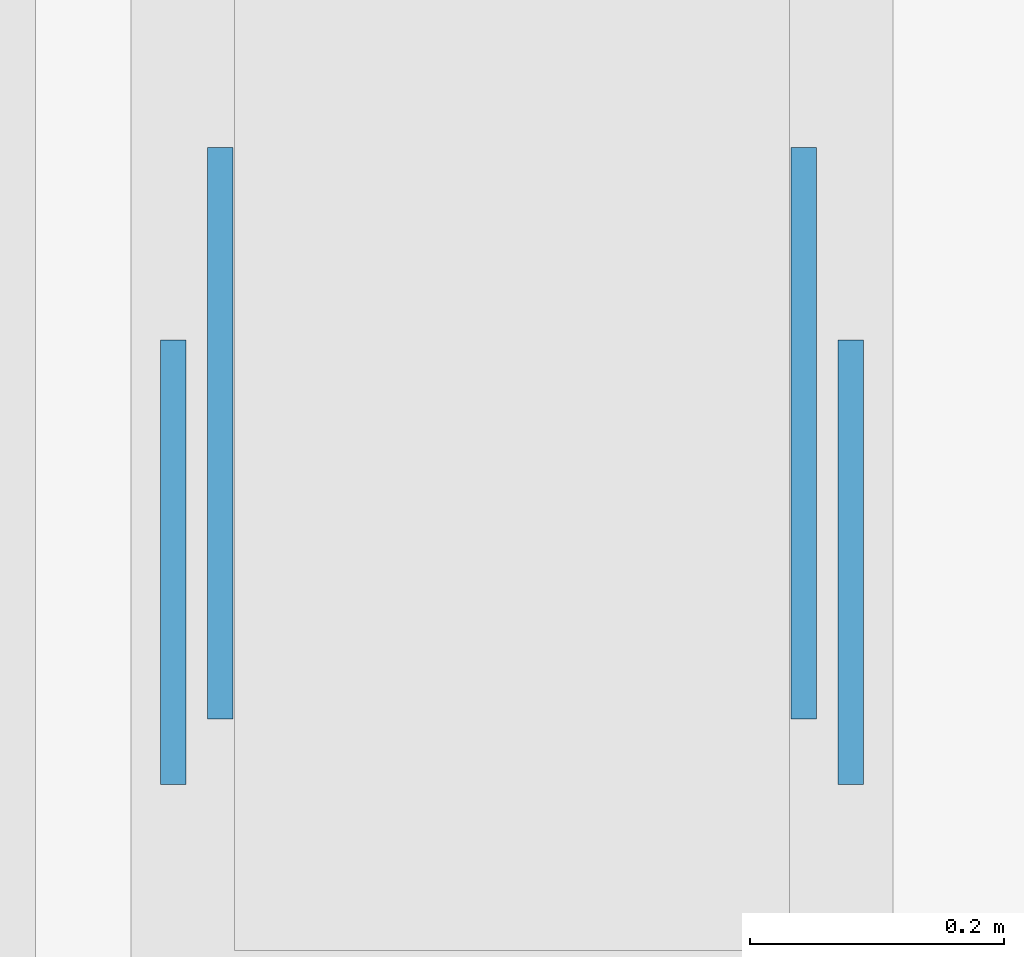
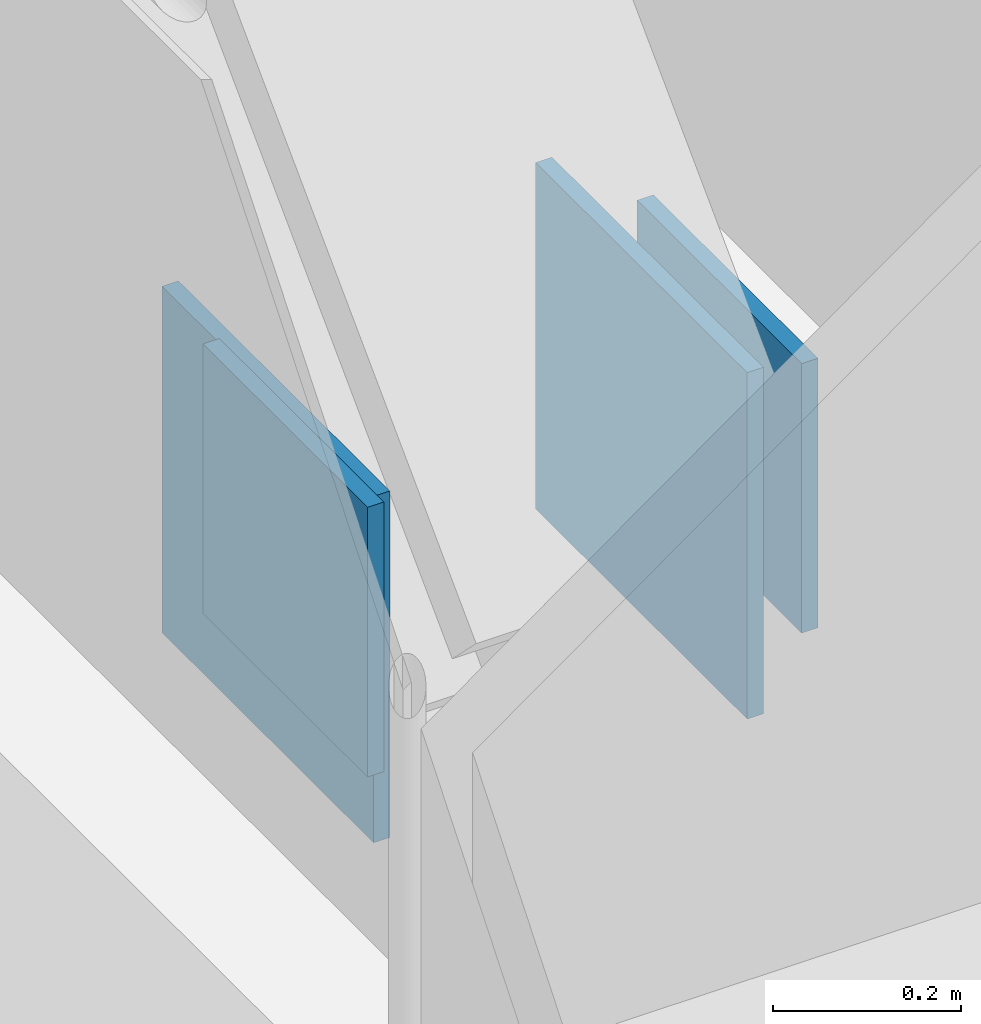
# One storey, part 17 of 25: 4 discrete accessories.
"""IFC4 building model written with IfcOpenShell, lengths in metres."""

from ifc_helpers import new_model, si_unit, direction, frame, origin, origin_2d, place, context, subcontext, project, spatial, rectangle, extrude, element, save


model = new_model("IFC4")

# Units and contexts
model_context = context("Model", 3, precision=1e-05, world=origin(), true_north=direction((0.0, 1.0)))
body_context = subcontext(model_context, "Body", "Model", "MODEL_VIEW")
ifc_project = project(units=[si_unit("LENGTHUNIT", "METRE"), si_unit("AREAUNIT", "SQUARE_METRE"), si_unit("VOLUMEUNIT", "CUBIC_METRE"), si_unit("PLANEANGLEUNIT", "RADIAN"), si_unit("MASSUNIT", "GRAM", prefix="KILO")], contexts=[model_context])

# Site, building, storey
site_placement = place(None, origin())
site = spatial("IfcSite", under=ifc_project, at=site_placement, CompositionType="ELEMENT")
building_placement = place(site_placement, origin())
building = spatial("IfcBuilding", under=site, at=building_placement, Name="Vidyagriha Tower", CompositionType="ELEMENT")
storey_placement = place(building_placement, frame((0.0, 0.0, 115.89990234375)))
storey = spatial("IfcBuildingStorey", under=building, at=storey_placement, Name="L29", CompositionType="ELEMENT", Elevation=115.89990234375)

# Discrete accessories
for number, where, z_axis, x_axis, name in (
    (1, (-33.7294921875, 12.00439453125, 0.0), (0.0, 0.0, 1.0), (0.0, 1.0, 0.0), "Truss gusset plate ASTM A572 Grade 50 20mm"),
    (2, (-33.2705078125, 12.00439453125, 0.0), (0.0, 0.0, 1.0), (0.0, 1.0, 0.0), "Truss gusset plate ASTM A572 Grade 50 20mm"),
):
    element("IfcDiscreteAccessory", number, at=place(storey_placement, frame(where, z_axis=z_axis, x_axis=x_axis)), inside=storey, Name=name, ObjectType="GUSSET PLATE", PredefinedType="USERDEFINED", context=body_context, shape_type="SweptSolid", body=[
        extrude(rectangle(XDim=0.449951171875, YDim=0.02001953125, at=origin_2d()), origin(), (0.0, 0.0, 1.0), 0.449951171875),
    ])
for number, where, z_axis, x_axis, name in (
    (3, (-33.2333984375, 11.90283203125, 0.1298828125), (0.0, 0.0, 1.0), (0.0, -1.0, 0.0), "End plate ASTM A572 Grade 50 20mm"),
    (4, (-33.7666015625, 11.90283203125, 0.1298828125), (0.0, 0.0, 1.0), (0.0, -1.0, 0.0), "End plate ASTM A572 Grade 50 20mm"),
):
    element("IfcDiscreteAccessory", number, at=place(storey_placement, frame(where, z_axis=z_axis, x_axis=x_axis)), inside=storey, Name=name, ObjectType="END PLATE", PredefinedType="USERDEFINED", context=body_context, shape_type="SweptSolid", body=[
        extrude(rectangle(XDim=0.35009765625, YDim=0.02001953125, at=origin_2d()), origin(), (0.0, 0.0, 1.0), 0.35009765625),
    ])

save(model, "model.ifc")
